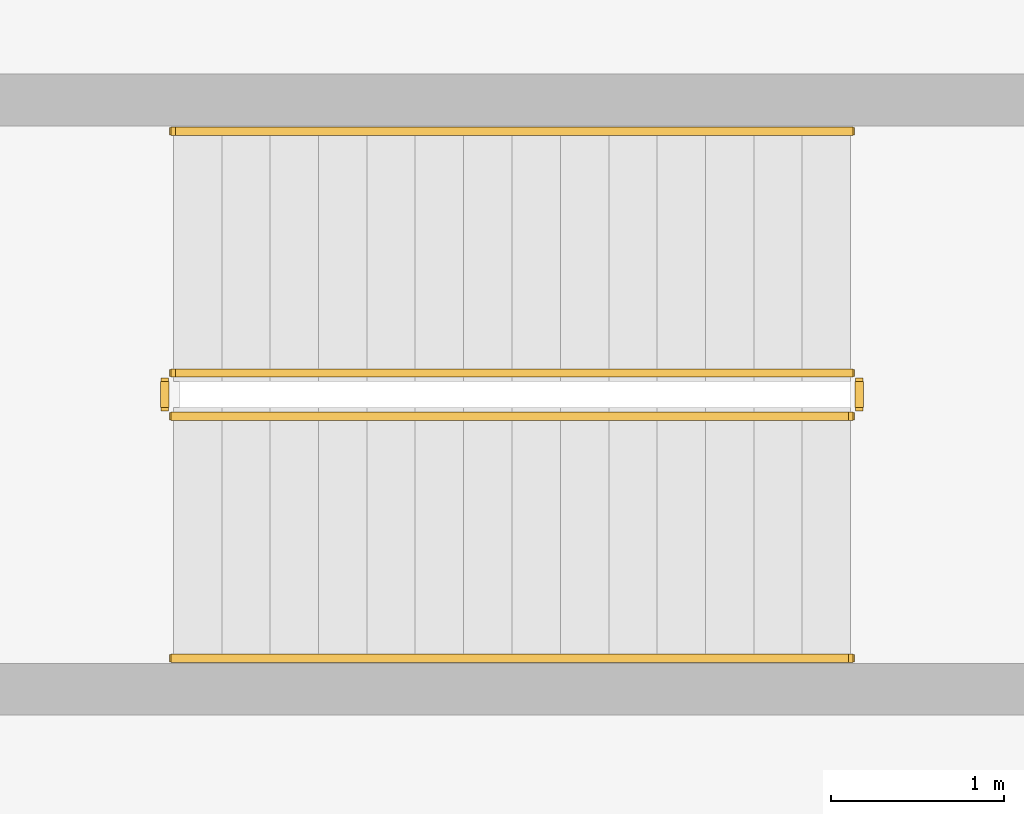
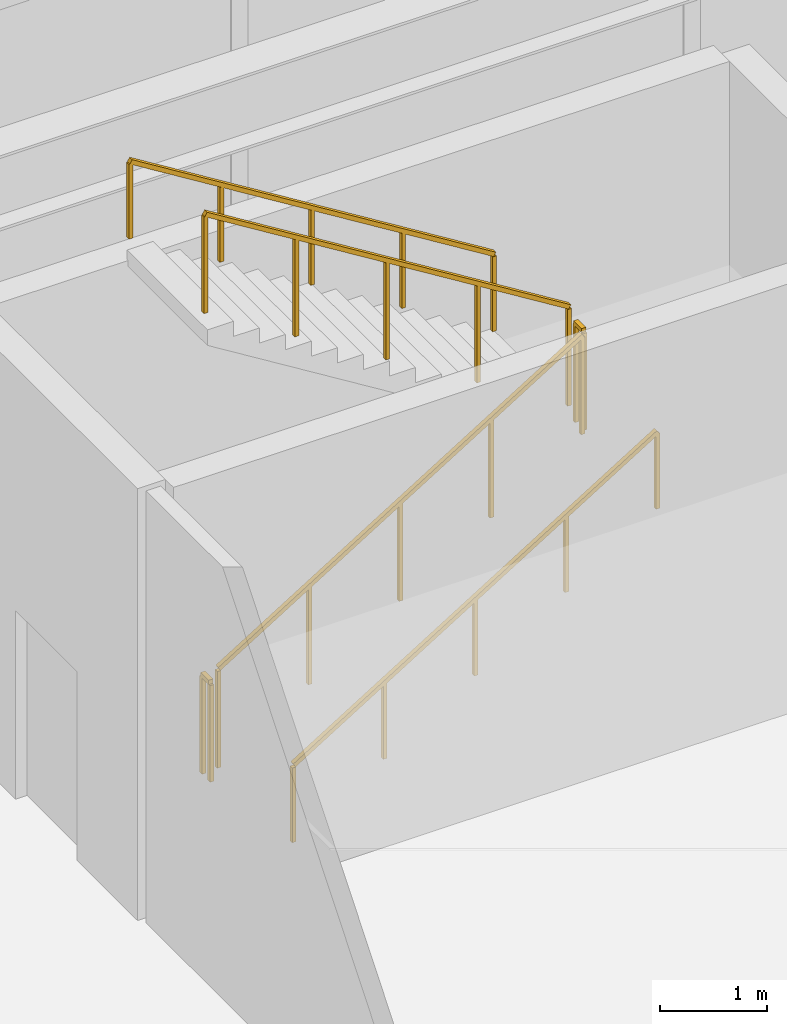
# One storey, part 27 of 29: 6 railings.
"""IFC4 building model written with IfcOpenShell, lengths in metres."""

from ifc_helpers import new_model, si_unit, direction, frame, origin, origin_2d, place, context, subcontext, project, spatial, rectangle, extrude, material, type_object, element, save


model = new_model("IFC4")

# Units and contexts
model_context = context("Model", 3, precision=1e-05, world=origin(), true_north=direction((0.0, 1.0)))
body_context = subcontext(model_context, "Body", "Model", "MODEL_VIEW")
ifc_project = project(units=[si_unit("LENGTHUNIT", "METRE"), si_unit("AREAUNIT", "SQUARE_METRE"), si_unit("VOLUMEUNIT", "CUBIC_METRE"), si_unit("PLANEANGLEUNIT", "RADIAN"), si_unit("MASSUNIT", "GRAM", prefix="KILO")], contexts=[model_context])

# Site, building, storey
site_placement = place(None, origin())
site = spatial("IfcSite", under=ifc_project, at=site_placement, CompositionType="ELEMENT")
building_placement = place(site_placement, origin())
building = spatial("IfcBuilding", under=site, at=building_placement, Name="Mawjaban Terraces University", CompositionType="ELEMENT")
storey_placement = place(building_placement, frame((0.0, 0.0, 15.60009765625)))
storey = spatial("IfcBuildingStorey", under=building, at=storey_placement, Name="L03", CompositionType="ELEMENT", Elevation=15.60009765625)

# Railings
ifc_material_1 = material(Name="Brushed stainless steel 316", Category="steel")
railing_type_1 = type_object("IfcRailingType", Name="StairWallHandrail_900", PredefinedType="HANDRAIL", material=ifc_material_1)
railing_1_placement = place(storey_placement, frame((60.10009765625, 24.64990234375, 0.17333984375)))
element("IfcRailing", 1, at=railing_1_placement, inside=storey, type_object=railing_type_1, Name="L03 ST-5 stair handrail 1", PredefinedType="HANDRAIL", context=body_context, shape_type="SweptSolid", body=[
    extrude(rectangle(XDim=0.048095703125, YDim=0.048095703125, at=origin_2d()), frame((0.0, 0.0, 0.8759765625), z_axis=(0.850275303828, 0.0, 0.526338206574), x_axis=(0.0, 1.0, 0.0)), (0.0, 0.0, 1.0), 4.610107421875),
    extrude(rectangle(XDim=0.0419921875, YDim=0.0419921875, at=origin_2d()), origin(), (0.0, 0.0, 1.0), 0.851806640625),
    extrude(rectangle(XDim=0.0419921875, YDim=0.0419921875, at=origin_2d()), frame((0.97998046875, 0.0, 0.606689453125)), (0.0, 0.0, 1.0), 0.851806640625),
    extrude(rectangle(XDim=0.0419921875, YDim=0.0419921875, at=origin_2d()), frame((1.9599609375, 0.0, 1.21337890625)), (0.0, 0.0, 1.0), 0.851806640625),
    extrude(rectangle(XDim=0.0419921875, YDim=0.0419921875, at=origin_2d()), frame((2.93994140625, 0.0, 1.81982421875)), (0.0, 0.0, 1.0), 0.851806640625),
    extrude(rectangle(XDim=0.0419921875, YDim=0.0419921875, at=origin_2d()), frame((3.919921875, 0.0, 2.426513671875)), (0.0, 0.0, 1.0), 0.851806640625),
])
railing_2_placement = place(storey_placement, frame((64.02001953125, 27.699951171875, 2.773193359375)))
element("IfcRailing", 2, at=railing_2_placement, inside=storey, type_object=railing_type_1, Name="L03 ST-5 stair handrail 2", PredefinedType="HANDRAIL", context=body_context, shape_type="SweptSolid", body=[
    extrude(rectangle(XDim=0.048095703125, YDim=0.048095703125, at=origin_2d()), frame((0.0, 0.0, 0.8759765625), z_axis=(-0.850251603719, 0.0, 0.526376491091), x_axis=(0.0, -1.0, 0.0)), (0.0, 0.0, 1.0), 4.6103515625),
    extrude(rectangle(XDim=0.0419921875, YDim=0.0419921875, at=origin_2d()), origin(), (0.0, 0.0, 1.0), 0.851806640625),
    extrude(rectangle(XDim=0.0419921875, YDim=0.0419921875, at=origin_2d()), frame((-0.97998046875, 0.0, 0.606689453125)), (0.0, 0.0, 1.0), 0.851806640625),
    extrude(rectangle(XDim=0.0419921875, YDim=0.0419921875, at=origin_2d()), frame((-1.9599609375, 0.0, 1.21337890625)), (0.0, 0.0, 1.0), 0.851806640625),
    extrude(rectangle(XDim=0.0419921875, YDim=0.0419921875, at=origin_2d()), frame((-2.93994140625, 0.0, 1.820068359375)), (0.0, 0.0, 1.0), 0.851806640625),
    extrude(rectangle(XDim=0.0419921875, YDim=0.0419921875, at=origin_2d()), frame((-3.919921875, 0.0, 2.4267578125)), (0.0, 0.0, 1.0), 0.851806640625),
])
ifc_material_2 = material(Name="Galvanised painted steel S355", Category="steel")
railing_type_2 = type_object("IfcRailingType", Name="StairWellGuard_1150", PredefinedType="BALUSTRADE", material=ifc_material_2)
railing_3_placement = place(storey_placement, frame((60.10009765625, 26.050048828125, 0.17333984375)))
element("IfcRailing", 3, at=railing_3_placement, inside=storey, type_object=railing_type_2, Name="L03 ST-5 stair guard 1", PredefinedType="BALUSTRADE", context=body_context, shape_type="SweptSolid", body=[
    extrude(rectangle(XDim=0.048095703125, YDim=0.048095703125, at=origin_2d()), frame((0.0, 0.0, 1.1259765625), z_axis=(0.850275303828, 0.0, 0.526338206574), x_axis=(0.0, 1.0, 0.0)), (0.0, 0.0, 1.0), 4.610107421875),
    extrude(rectangle(XDim=0.0419921875, YDim=0.0419921875, at=origin_2d()), origin(), (0.0, 0.0, 1.0), 1.101806640625),
    extrude(rectangle(XDim=0.0419921875, YDim=0.0419921875, at=origin_2d()), frame((0.97998046875, 0.0, 0.606689453125)), (0.0, 0.0, 1.0), 1.101806640625),
    extrude(rectangle(XDim=0.0419921875, YDim=0.0419921875, at=origin_2d()), frame((1.9599609375, 0.0, 1.21337890625)), (0.0, 0.0, 1.0), 1.101806640625),
    extrude(rectangle(XDim=0.0419921875, YDim=0.0419921875, at=origin_2d()), frame((2.93994140625, 0.0, 1.81982421875)), (0.0, 0.0, 1.0), 1.101806640625),
    extrude(rectangle(XDim=0.0419921875, YDim=0.0419921875, at=origin_2d()), frame((3.919921875, 0.0, 2.426513671875)), (0.0, 0.0, 1.0), 1.101806640625),
])
railing_4_placement = place(storey_placement, frame((64.070068359375, 26.10009765625, 2.599853515625)))
element("IfcRailing", 4, at=railing_4_placement, inside=storey, type_object=railing_type_2, Name="L03 ST-5 stair guard 2", PredefinedType="BALUSTRADE", context=body_context, shape_type="SweptSolid", body=[
    extrude(rectangle(XDim=0.048095703125, YDim=0.048095703125, at=origin_2d()), frame((0.0, 0.0, 1.1259765625), z_axis=(0.0, 1.0, 0.0), x_axis=(-1.0, 0.0, 0.0)), (0.0, 0.0, 1.0), 0.14990234375),
    extrude(rectangle(XDim=0.0419921875, YDim=0.0419921875, at=origin_2d()), origin(), (0.0, 0.0, 1.0), 1.101806640625),
    extrude(rectangle(XDim=0.0419921875, YDim=0.0419921875, at=origin_2d()), frame((0.0, 0.14990234375, 0.0)), (0.0, 0.0, 1.0), 1.101806640625),
])
railing_5_placement = place(storey_placement, frame((64.02001953125, 26.300048828125, 2.773193359375)))
element("IfcRailing", 5, at=railing_5_placement, inside=storey, type_object=railing_type_2, Name="L03 ST-5 stair guard 3", PredefinedType="BALUSTRADE", context=body_context, shape_type="SweptSolid", body=[
    extrude(rectangle(XDim=0.048095703125, YDim=0.048095703125, at=origin_2d()), frame((0.0, 0.0, 1.1259765625), z_axis=(-0.850251603719, 0.0, 0.526376491091), x_axis=(0.0, -1.0, 0.0)), (0.0, 0.0, 1.0), 4.6103515625),
    extrude(rectangle(XDim=0.0419921875, YDim=0.0419921875, at=origin_2d()), origin(), (0.0, 0.0, 1.0), 1.101806640625),
    extrude(rectangle(XDim=0.0419921875, YDim=0.0419921875, at=origin_2d()), frame((-0.97998046875, 0.0, 0.606689453125)), (0.0, 0.0, 1.0), 1.101806640625),
    extrude(rectangle(XDim=0.0419921875, YDim=0.0419921875, at=origin_2d()), frame((-1.9599609375, 0.0, 1.21337890625)), (0.0, 0.0, 1.0), 1.101806640625),
    extrude(rectangle(XDim=0.0419921875, YDim=0.0419921875, at=origin_2d()), frame((-2.93994140625, 0.0, 1.820068359375)), (0.0, 0.0, 1.0), 1.101806640625),
    extrude(rectangle(XDim=0.0419921875, YDim=0.0419921875, at=origin_2d()), frame((-3.919921875, 0.0, 2.4267578125)), (0.0, 0.0, 1.0), 1.101806640625),
])
railing_6_placement = place(storey_placement, frame((60.050048828125, 26.10009765625, 0.0)))
element("IfcRailing", 6, at=railing_6_placement, inside=storey, type_object=railing_type_2, Name="L03 ST-5 stair guard 4", PredefinedType="BALUSTRADE", context=body_context, shape_type="SweptSolid", body=[
    extrude(rectangle(XDim=0.048095703125, YDim=0.048095703125, at=origin_2d()), frame((0.0, 0.0, 1.1259765625), z_axis=(0.0, 1.0, 0.0), x_axis=(-1.0, 0.0, 0.0)), (0.0, 0.0, 1.0), 0.14990234375),
    extrude(rectangle(XDim=0.0419921875, YDim=0.0419921875, at=origin_2d()), origin(), (0.0, 0.0, 1.0), 1.101806640625),
    extrude(rectangle(XDim=0.0419921875, YDim=0.0419921875, at=origin_2d()), frame((0.0, 0.14990234375, 0.0)), (0.0, 0.0, 1.0), 1.101806640625),
])

save(model, "model.ifc")
